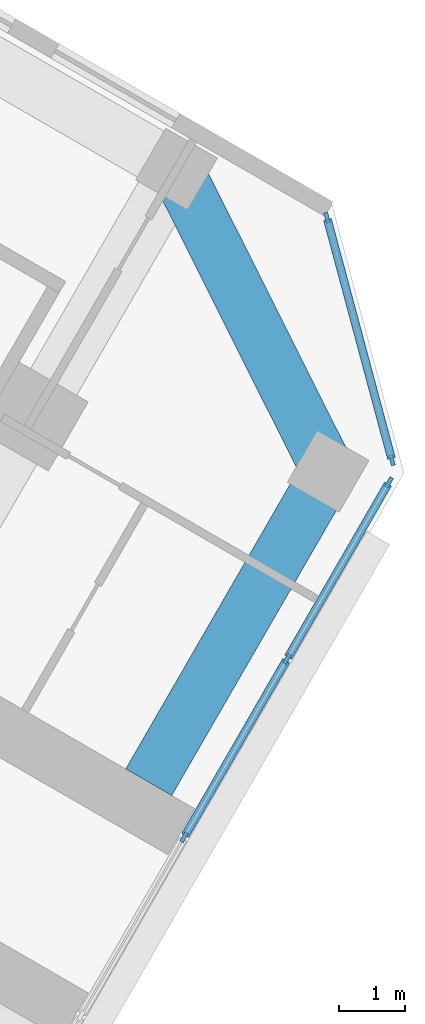
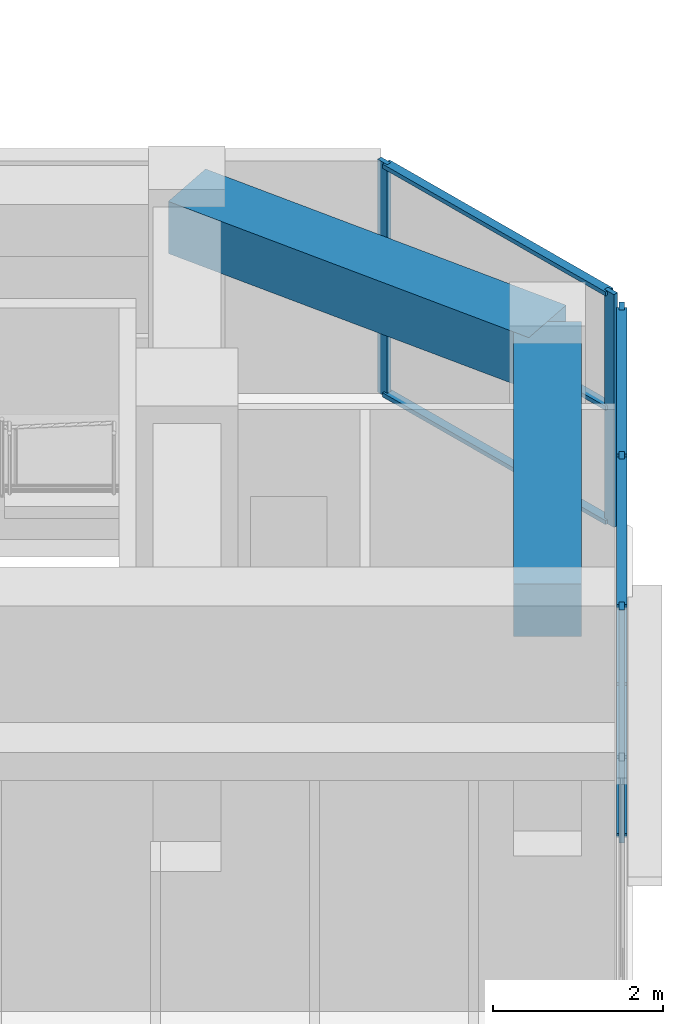
# One storey, part 8 of 19: 12 members, 2 beams, 2 elements without a shape of their own.
"""IFC4 building model written with IfcOpenShell, lengths in metres."""

from ifc_helpers import new_model, si_unit, direction, frame, origin, origin_2d, place, context, subcontext, project, spatial, rectangle, extrude, material, material_profile, profile_set, type_object, element, aggregate, save


model = new_model("IFC4")

# Units and contexts
model_context = context("Model", 3, precision=1e-05, world=origin(), true_north=direction((0.0, 1.0)))
body_context = subcontext(model_context, "Body", "Model", "MODEL_VIEW")
ifc_project = project(units=[si_unit("LENGTHUNIT", "METRE"), si_unit("AREAUNIT", "SQUARE_METRE"), si_unit("VOLUMEUNIT", "CUBIC_METRE"), si_unit("PLANEANGLEUNIT", "RADIAN"), si_unit("MASSUNIT", "GRAM", prefix="KILO")], contexts=[model_context])

# Site, building, storey
site_placement = place(None, origin())
site = spatial("IfcSite", under=ifc_project, at=site_placement, CompositionType="ELEMENT")
building_placement = place(site_placement, origin())
building = spatial("IfcBuilding", under=site, at=building_placement, Name="Kosmar Iwan School Tower", CompositionType="ELEMENT")
storey_placement = place(building_placement, frame((0.0, 0.0, 158.0)))
storey = spatial("IfcBuildingStorey", under=building, at=storey_placement, Name="L39", CompositionType="ELEMENT", Elevation=158.0)

# Curtain wall, members
ifc_material_1 = material(Name="Dark glass in black aluminium frame", Category="aluminium")
curtain_wall_type_1 = type_object("IfcCurtainWallType", Name="Tower curtain wall dark glass", PredefinedType="USERDEFINED", material=ifc_material_1)
curtain_wall_1_placement = place(storey_placement, origin())
curtain_wall_1 = element("IfcCurtainWall", 1, at=curtain_wall_1_placement, inside=storey, type_object=curtain_wall_type_1, Name="Curtain wall L39-F03", ObjectType="UNITISED CURTAIN WALL", PredefinedType="USERDEFINED")
ifc_material_2 = material(Name="Black anodised aluminium", Category="aluminium")
ifc_material_profile_1 = material_profile(ifc_material_2, rectangle(XDim=0.06005859375, YDim=0.159912109375, at=origin_2d()), Name="MULLION 60x160")
ifc_profile_set_1 = profile_set([ifc_material_profile_1], Name="Black anodised aluminium")
member_type_1 = type_object("IfcMemberType", Name="Mullion 60x160", PredefinedType="MULLION", material=ifc_profile_set_1)
member_1_placement = place(storey_placement, frame((30.631103515625, -15.8955078125, 0.0), z_axis=(0.0, 0.0, 1.0), x_axis=(-0.866025405329, 0.499999997325, 0.0)))
member_1 = element("IfcMember", 2, at=member_1_placement, type_object=member_type_1, Name="CW1 mullion 4", PredefinedType="MULLION", context=body_context, shape_type="SweptSolid", body=[
    extrude(rectangle(XDim=0.06005859375, YDim=0.159912109375, at=origin_2d()), origin(), (0.0, 0.0, 1.0), 3.35009765625),
])
member_2_placement = place(storey_placement, frame((32.1806640625, -13.21142578125, 0.0), z_axis=(0.0, 0.0, 1.0), x_axis=(-0.866025405329, 0.499999997325, 0.0)))
member_2 = element("IfcMember", 3, at=member_2_placement, type_object=member_type_1, Name="CW1 mullion 5", PredefinedType="MULLION", context=body_context, shape_type="SweptSolid", body=[
    extrude(rectangle(XDim=0.06005859375, YDim=0.159912109375, at=origin_2d()), origin(), (0.0, 0.0, 1.0), 3.35009765625),
])
member_3_placement = place(storey_placement, frame((33.71533203125, -10.55322265625, 0.0), z_axis=(0.0, 0.0, 1.0), x_axis=(-0.866025405329, 0.499999997325, 0.0)))
member_3 = element("IfcMember", 4, at=member_3_placement, type_object=member_type_1, Name="CW1 mullion 6", PredefinedType="MULLION", context=body_context, shape_type="SweptSolid", body=[
    extrude(rectangle(XDim=0.06005859375, YDim=0.159912109375, at=origin_2d()), origin(), (0.0, 0.0, 1.0), 3.35009765625),
])

ifc_material_3 = material(Name="Dark glass in black aluminium frame", Category="aluminium")
curtain_wall_type_2 = type_object("IfcCurtainWallType", Name="Chamfer curtain wall dark glass", PredefinedType="USERDEFINED", material=ifc_material_3)
curtain_wall_2_placement = place(storey_placement, origin())
curtain_wall_2 = element("IfcCurtainWall", 5, at=curtain_wall_2_placement, inside=storey, type_object=curtain_wall_type_2, Name="Curtain wall L39-F04", ObjectType="FACETED CURTAIN WALL", PredefinedType="USERDEFINED")
member_4_placement = place(storey_placement, frame((33.7587890625, -10.2236328125, 0.0), z_axis=(0.0, 0.0, 1.0), x_axis=(-0.965925875495, -0.258818861462, 0.0)))
member_4 = element("IfcMember", 6, at=member_4_placement, type_object=member_type_1, Name="CW2 mullion 1", PredefinedType="MULLION", context=body_context, shape_type="SweptSolid", body=[
    extrude(rectangle(XDim=0.06005859375, YDim=0.159912109375, at=origin_2d()), origin(), (0.0, 0.0, 1.0), 3.35009765625),
])
member_5_placement = place(storey_placement, frame((32.78076171875, -6.5732421875, 0.0), z_axis=(0.0, 0.0, 1.0), x_axis=(-0.965925875495, -0.258818861462, 0.0)))
member_5 = element("IfcMember", 7, at=member_5_placement, type_object=member_type_1, Name="CW2 mullion 2", PredefinedType="MULLION", context=body_context, shape_type="SweptSolid", body=[
    extrude(rectangle(XDim=0.06005859375, YDim=0.159912109375, at=origin_2d()), origin(), (0.0, 0.0, 1.0), 3.35009765625),
])

# Beams
ifc_material_4 = material(Name="Concrete C50/60", Category="concrete")
ifc_material_profile_2 = material_profile(ifc_material_4, rectangle(XDim=0.800048828125, YDim=0.75, at=origin_2d()), Name="RC 800x750")
ifc_profile_set_2 = profile_set([ifc_material_profile_2], Name="Concrete C50/60")
beam_type = type_object("IfcBeamType", Name="RC tip beam 800x750", PredefinedType="BEAM", material=ifc_profile_set_2)
beam_1_placement = place(storey_placement, frame((30.517822265625, -5.841552734375, 2.97509765625), z_axis=(0.44809604203, -0.893985423325, 0.0), x_axis=(0.893985423325, 0.44809604203, 0.0)))
element("IfcBeam", 8, at=beam_1_placement, inside=storey, type_object=beam_type, Name="Tip beam CL", PredefinedType="BEAM", context=body_context, shape_type="SweptSolid", body=[
    extrude(rectangle(XDim=0.800048828125, YDim=0.75, at=origin_2d()), origin(), (0.0, 0.0, 1.0), 5.08935546875),
])
beam_2_placement = place(storey_placement, frame((32.79833984375, -10.391357421875, 2.97509765625), z_axis=(-0.499995103361, -0.866028230842, 0.0), x_axis=(0.866028230842, -0.499995103361, 0.0)))
element("IfcBeam", 9, at=beam_2_placement, inside=storey, type_object=beam_type, Name="Tip beam CL to corridor wall", PredefinedType="BEAM", context=body_context, shape_type="SweptSolid", body=[
    extrude(rectangle(XDim=0.800048828125, YDim=0.75, at=origin_2d()), origin(), (0.0, 0.0, 1.0), 5.39990234375),
])

# Member
ifc_material_5 = material(Name="Black anodised aluminium", Category="aluminium")
ifc_material_profile_3 = material_profile(ifc_material_5, rectangle(XDim=0.1201171875, YDim=0.06005859375, at=origin_2d()), Name="TRANSOM 60x120")
ifc_profile_set_3 = profile_set([ifc_material_profile_3], Name="Black anodised aluminium")
member_type_2 = type_object("IfcMemberType", Name="Transom 60x120", PredefinedType="USERDEFINED", material=ifc_profile_set_3)
member_6_placement = place(storey_placement, frame((30.64599609375, -15.869384765625, 0.030029296875), z_axis=(0.500035348339, 0.866004994449, 0.0), x_axis=(-0.866004994449, 0.500035348339, 0.0)))
member_6 = element("IfcMember", 10, at=member_6_placement, type_object=member_type_2, Name="CW1 transom 4.1", ObjectType="TRANSOM", PredefinedType="USERDEFINED", context=body_context, shape_type="SweptSolid", body=[
    extrude(rectangle(XDim=0.1201171875, YDim=0.06005859375, at=origin_2d()), origin(), (0.0, 0.0, 1.0), 3.039306640625),
])

member_7_placement = place(storey_placement, frame((30.64599609375, -15.869384765625, 3.320068359375), z_axis=(0.500035348339, 0.866004994449, 0.0), x_axis=(-0.866004994449, 0.500035348339, 0.0)))
member_7 = element("IfcMember", 11, at=member_7_placement, type_object=member_type_2, Name="CW1 transom 4.2", ObjectType="TRANSOM", PredefinedType="USERDEFINED", context=body_context, shape_type="SweptSolid", body=[
    extrude(rectangle(XDim=0.1201171875, YDim=0.06005859375, at=origin_2d()), origin(), (0.0, 0.0, 1.0), 3.039306640625),
])

member_8_placement = place(storey_placement, frame((32.19580078125, -13.185302734375, 0.030029296875), z_axis=(0.500022102064, 0.866012642776, 0.0), x_axis=(-0.866012642776, 0.500022102064, 0.0)))
member_8 = element("IfcMember", 12, at=member_8_placement, type_object=member_type_2, Name="CW1 transom 5.1", ObjectType="TRANSOM", PredefinedType="USERDEFINED", context=body_context, shape_type="SweptSolid", body=[
    extrude(rectangle(XDim=0.1201171875, YDim=0.06005859375, at=origin_2d()), origin(), (0.0, 0.0, 1.0), 3.009033203125),
])

member_9_placement = place(storey_placement, frame((32.19580078125, -13.185302734375, 3.320068359375), z_axis=(0.500022102064, 0.866012642776, 0.0), x_axis=(-0.866012642776, 0.500022102064, 0.0)))
member_9 = element("IfcMember", 13, at=member_9_placement, type_object=member_type_2, Name="CW1 transom 5.2", ObjectType="TRANSOM", PredefinedType="USERDEFINED", context=body_context, shape_type="SweptSolid", body=[
    extrude(rectangle(XDim=0.1201171875, YDim=0.06005859375, at=origin_2d()), origin(), (0.0, 0.0, 1.0), 3.009033203125),
])

aggregate(curtain_wall_1, [member_1, member_2, member_3, member_6, member_7, member_8, member_9])

member_10_placement = place(storey_placement, frame((33.7509765625, -10.194580078125, 0.030029296875), z_axis=(-0.258843273983, 0.965919333854, 0.0), x_axis=(-0.965919333854, -0.258843273983, 0.0)))
member_10 = element("IfcMember", 14, at=member_10_placement, type_object=member_type_2, Name="CW2 transom 1.1", ObjectType="TRANSOM", PredefinedType="USERDEFINED", context=body_context, shape_type="SweptSolid", body=[
    extrude(rectangle(XDim=0.1201171875, YDim=0.06005859375, at=origin_2d()), origin(), (0.0, 0.0, 1.0), 3.718994140625),
])

member_11_placement = place(storey_placement, frame((33.7509765625, -10.194580078125, 1.675048828125), z_axis=(-0.258843273983, 0.965919333854, 0.0), x_axis=(-0.965919333854, -0.258843273983, 0.0)))
member_11 = element("IfcMember", 15, at=member_11_placement, type_object=member_type_2, Name="CW2 transom 1.2", ObjectType="TRANSOM", PredefinedType="USERDEFINED", context=body_context, shape_type="SweptSolid", body=[
    extrude(rectangle(XDim=0.1201171875, YDim=0.06005859375, at=origin_2d()), origin(), (0.0, 0.0, 1.0), 3.718994140625),
])

member_12_placement = place(storey_placement, frame((33.7509765625, -10.194580078125, 3.320068359375), z_axis=(-0.258843273983, 0.965919333854, 0.0), x_axis=(-0.965919333854, -0.258843273983, 0.0)))
member_12 = element("IfcMember", 16, at=member_12_placement, type_object=member_type_2, Name="CW2 transom 1.3", ObjectType="TRANSOM", PredefinedType="USERDEFINED", context=body_context, shape_type="SweptSolid", body=[
    extrude(rectangle(XDim=0.1201171875, YDim=0.06005859375, at=origin_2d()), origin(), (0.0, 0.0, 1.0), 3.718994140625),
])

aggregate(curtain_wall_2, [member_4, member_5, member_10, member_11, member_12])

save(model, "model.ifc")
